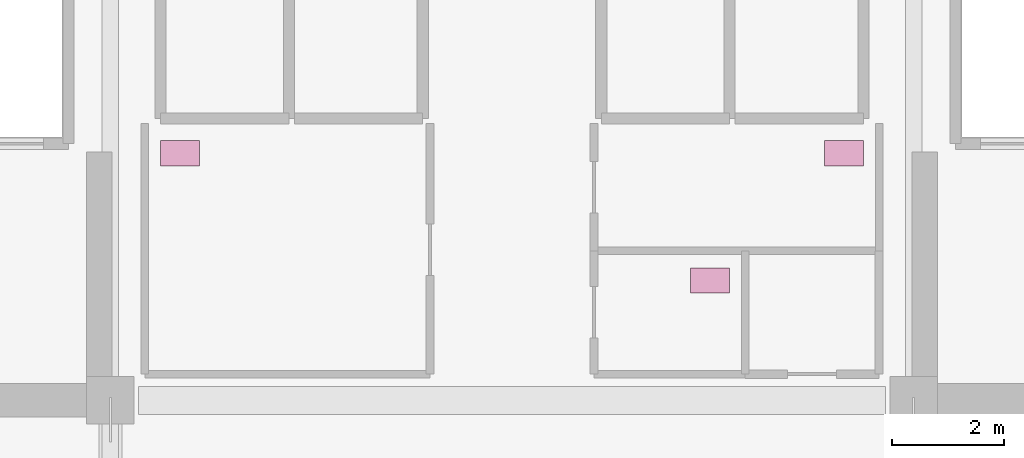
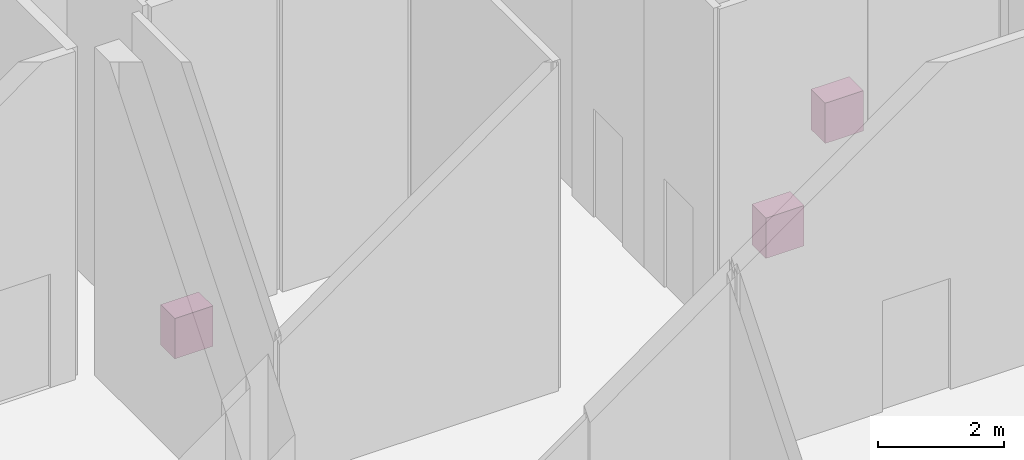
# One storey, part 11 of 11: 3 furnishings.
"""IFC4 building model written with IfcOpenShell, lengths in metres."""

from ifc_helpers import new_model, si_unit, direction, frame, origin, origin_2d, place, context, subcontext, project, spatial, rectangle, extrude, source, transform, mapped, material, type_object, element, save


model = new_model("IFC4")

# Units and contexts
model_context = context("Model", 3, precision=1e-05, world=origin(), true_north=direction((0.0, 1.0)))
body_context = subcontext(model_context, "Body", "Model", "MODEL_VIEW")
ifc_project = project(units=[si_unit("LENGTHUNIT", "METRE"), si_unit("AREAUNIT", "SQUARE_METRE"), si_unit("VOLUMEUNIT", "CUBIC_METRE"), si_unit("PLANEANGLEUNIT", "RADIAN"), si_unit("MASSUNIT", "GRAM", prefix="KILO")], contexts=[model_context])

# Site, building, storey
site_placement = place(None, origin())
site = spatial("IfcSite", under=ifc_project, at=site_placement, CompositionType="ELEMENT")
building_placement = place(site_placement, origin())
building = spatial("IfcBuilding", under=site, at=building_placement, Name="Zarnakvel Exchange Tower", CompositionType="ELEMENT")
storey_placement = place(building_placement, frame((0.0, 0.0, 199.0)))
storey = spatial("IfcBuildingStorey", under=building, at=storey_placement, Name="L56", CompositionType="ELEMENT", Elevation=199.0)

# Furnishings
ifc_material = material(Name="Vitreous China Sanitaryware", Category="ceramic")
furnishing_element_type = type_object("IfcFurnishingElementType", Name="SAN-WC", material=ifc_material)
shared_shape = source(origin(), body_context, "Body", "SweptSolid", [
    extrude(rectangle(XDim=0.699951171875, YDim=0.449951171875, at=origin_2d()), origin(), (0.0, 0.0, 1.0), 0.780029296875),
])
for number, where, z_axis, x_axis, name in (
    (1, (-5.949951171875, 3.22998046875, 0.0), (0.0, 0.0, 1.0), (1.0, 0.0, 0.0), "L56 Sanitary Fixture (Male Toilet)"),
    (2, (5.949951171875, 3.22998046875, 0.0), (0.0, 0.0, 1.0), (1.0, 0.0, 0.0), "L56 Sanitary Fixture (Female Toilet)"),
    (3, (3.550048828125, 0.949951171875, 0.0), (0.0, 0.0, 1.0), (1.0, 0.0, 0.0), "L56 Sanitary Fixture (Accessible Toilet)"),
):
    element("IfcFurnishingElement", number, at=place(storey_placement, frame(where, z_axis=z_axis, x_axis=x_axis)), inside=storey, type_object=furnishing_element_type, Name=name, ObjectType="SANITARY_FIXTURE", context=body_context, shape_type="MappedRepresentation", body=[
        mapped(shared_shape, transform((0.0, 0.0, 0.0), x_axis=(1.0, 0.0, 0.0), y_axis=(0.0, 1.0, 0.0), z_axis=(0.0, 0.0, 1.0), scale=1.0)),
    ])

save(model, "model.ifc")
